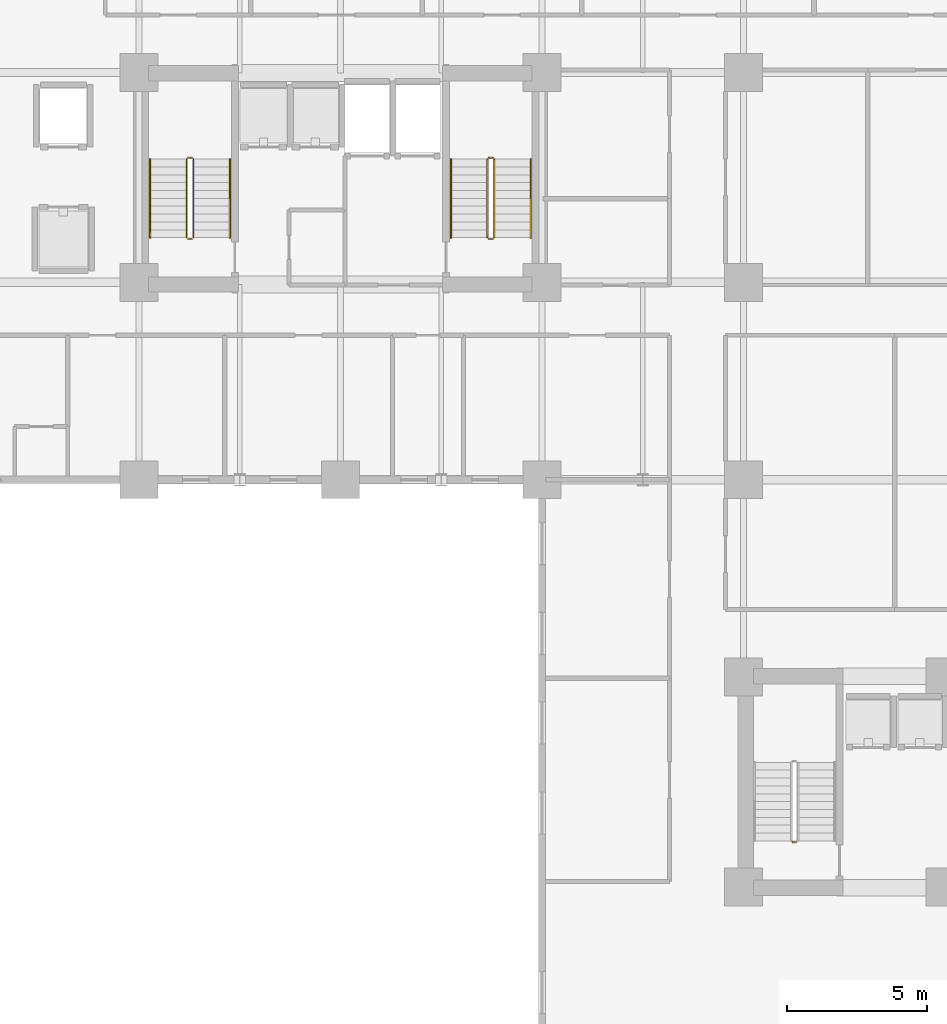
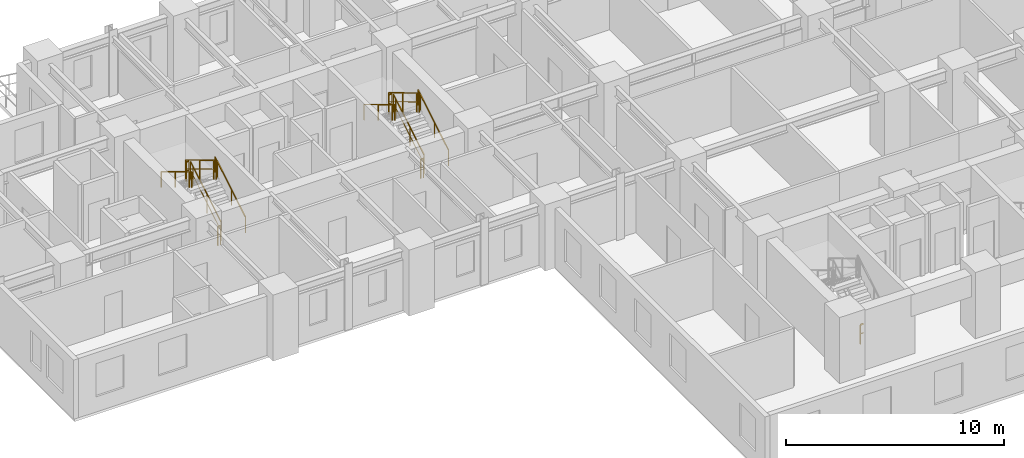
# One storey, part 9 of 12: 13 railings.
"""IFC4 building model written with IfcOpenShell, lengths in metres."""

from ifc_helpers import new_model, si_unit, direction, frame, origin, origin_2d, place, context, subcontext, project, spatial, rectangle, extrude, material, type_object, element, save


model = new_model("IFC4")

# Units and contexts
model_context = context("Model", 3, precision=1e-05, world=origin(), true_north=direction((0.0, 1.0)))
body_context = subcontext(model_context, "Body", "Model", "MODEL_VIEW")
ifc_project = project(units=[si_unit("LENGTHUNIT", "METRE"), si_unit("AREAUNIT", "SQUARE_METRE"), si_unit("VOLUMEUNIT", "CUBIC_METRE"), si_unit("PLANEANGLEUNIT", "RADIAN"), si_unit("MASSUNIT", "GRAM", prefix="KILO")], contexts=[model_context])

# Site, building, storey
site_placement = place(None, origin())
site = spatial("IfcSite", under=ifc_project, at=site_placement, CompositionType="ELEMENT")
building_placement = place(site_placement, origin())
building = spatial("IfcBuilding", under=site, at=building_placement, Name="Kaliganga Portal Commons", CompositionType="ELEMENT")
storey_placement = place(building_placement, frame((0.0, 0.0, 69.699951171875)))
storey = spatial("IfcBuildingStorey", under=building, at=storey_placement, Name="L17", CompositionType="ELEMENT", Elevation=69.699951171875)

# Railings
ifc_material_1 = material(Name="Galvanized Painted Steel Balustrade", Category="steel")
railing_type_1 = type_object("IfcRailingType", Name="RLG-STAIR-GRD", PredefinedType="GUARDRAIL", material=ifc_material_1)
railing_1_placement = place(storey_placement, frame((16.35009765625, 30.25, 0.168212890625)))
element("IfcRailing", 1, at=railing_1_placement, inside=storey, type_object=railing_type_1, Name="L17 ST-A1 stair guard 1", PredefinedType="GUARDRAIL", context=body_context, shape_type="SweptSolid", body=[
    extrude(rectangle(XDim=0.048095703125, YDim=0.048095703125, at=origin_2d()), frame((0.0, 0.0, 1.072021484375), z_axis=(0.0, 0.857242210791, 0.514913383045), x_axis=(-1.0, 0.0, 0.0)), (0.0, 0.0, 1.0), 3.266357421875),
    extrude(rectangle(XDim=0.028076171875, YDim=0.028076171875, at=origin_2d()), frame((0.0, 0.0, 0.572021484375), z_axis=(0.0, 0.857242210791, 0.514913383045), x_axis=(-1.0, 0.0, 0.0)), (0.0, 0.0, 1.0), 3.266357421875),
    extrude(rectangle(XDim=0.0419921875, YDim=0.0419921875, at=origin_2d()), origin(), (0.0, 0.0, 1.0), 1.052001953125),
    extrude(rectangle(XDim=0.0419921875, YDim=0.0419921875, at=origin_2d()), frame((0.0, 1.285888671875, 0.7724609375)), (0.0, 0.0, 1.0), 1.052001953125),
    extrude(rectangle(XDim=0.0419921875, YDim=0.0419921875, at=origin_2d()), frame((0.0, 2.57177734375, 1.544677734375)), (0.0, 0.0, 1.0), 1.052001953125),
    extrude(rectangle(XDim=0.0419921875, YDim=0.0419921875, at=origin_2d()), frame((0.0, 2.800048828125, 1.681884765625)), (0.0, 0.0, 1.0), 1.052001953125),
])
railing_2_placement = place(storey_placement, frame((16.300048828125, 33.10009765625, 1.85009765625)))
element("IfcRailing", 2, at=railing_2_placement, inside=storey, type_object=railing_type_1, Name="L17 ST-A1 stair guard 2", PredefinedType="GUARDRAIL", context=body_context, shape_type="SweptSolid", body=[
    extrude(rectangle(XDim=0.048095703125, YDim=0.048095703125, at=origin_2d()), frame((0.0, 0.0, 1.076171875), z_axis=(-1.0, 0.0, 0.0), x_axis=(0.0, -1.0, 0.0)), (0.0, 0.0, 1.0), 0.150146484375),
    extrude(rectangle(XDim=0.028076171875, YDim=0.028076171875, at=origin_2d()), frame((0.0, 0.0, 0.572021484375), z_axis=(-1.0, 0.0, 0.0), x_axis=(0.0, -1.0, 0.0)), (0.0, 0.0, 1.0), 0.150146484375),
    extrude(rectangle(XDim=0.0419921875, YDim=0.0419921875, at=origin_2d()), origin(), (0.0, 0.0, 1.0), 1.052001953125),
    extrude(rectangle(XDim=0.0419921875, YDim=0.0419921875, at=origin_2d()), frame((-0.150146484375, 0.0, 0.0)), (0.0, 0.0, 1.0), 1.052001953125),
])
railing_3_placement = place(storey_placement, frame((16.10009765625, 33.050048828125, 2.018310546875)))
element("IfcRailing", 3, at=railing_3_placement, inside=storey, type_object=railing_type_1, Name="L17 ST-A1 stair guard 3", PredefinedType="GUARDRAIL", context=body_context, shape_type="SweptSolid", body=[
    extrude(rectangle(XDim=0.048095703125, YDim=0.048095703125, at=origin_2d()), frame((0.0, 0.0, 1.072021484375), z_axis=(0.0, -0.857275202839, 0.514858452973), x_axis=(1.0, 0.0, 0.0)), (0.0, 0.0, 1.0), 3.26611328125),
    extrude(rectangle(XDim=0.028076171875, YDim=0.028076171875, at=origin_2d()), frame((0.0, 0.0, 0.572021484375), z_axis=(0.0, -0.857275202839, 0.514858452973), x_axis=(1.0, 0.0, 0.0)), (0.0, 0.0, 1.0), 3.26611328125),
    extrude(rectangle(XDim=0.0419921875, YDim=0.0419921875, at=origin_2d()), origin(), (0.0, 0.0, 1.0), 1.052001953125),
    extrude(rectangle(XDim=0.0419921875, YDim=0.0419921875, at=origin_2d()), frame((0.0, -1.285888671875, 0.772216796875)), (0.0, 0.0, 1.0), 1.052001953125),
    extrude(rectangle(XDim=0.0419921875, YDim=0.0419921875, at=origin_2d()), frame((0.0, -2.57177734375, 1.544677734375)), (0.0, 0.0, 1.0), 1.052001953125),
    extrude(rectangle(XDim=0.0419921875, YDim=0.0419921875, at=origin_2d()), frame((0.0, -2.800048828125, 1.681640625)), (0.0, 0.0, 1.0), 1.052001953125),
])
railing_4_placement = place(storey_placement, frame((16.300048828125, 30.199951171875, 0.0)))
element("IfcRailing", 4, at=railing_4_placement, inside=storey, type_object=railing_type_1, Name="L17 ST-A1 stair guard 4", PredefinedType="GUARDRAIL", context=body_context, shape_type="SweptSolid", body=[
    extrude(rectangle(XDim=0.048095703125, YDim=0.048095703125, at=origin_2d()), frame((0.0, 0.0, 1.076171875), z_axis=(-1.0, 0.0, 0.0), x_axis=(0.0, -1.0, 0.0)), (0.0, 0.0, 1.0), 0.150146484375),
    extrude(rectangle(XDim=0.028076171875, YDim=0.028076171875, at=origin_2d()), frame((0.0, 0.0, 0.572021484375), z_axis=(-1.0, 0.0, 0.0), x_axis=(0.0, -1.0, 0.0)), (0.0, 0.0, 1.0), 0.150146484375),
    extrude(rectangle(XDim=0.0419921875, YDim=0.0419921875, at=origin_2d()), origin(), (0.0, 0.0, 1.0), 1.052001953125),
    extrude(rectangle(XDim=0.0419921875, YDim=0.0419921875, at=origin_2d()), frame((-0.150146484375, 0.0, 0.0)), (0.0, 0.0, 1.0), 1.052001953125),
])
railing_5_placement = place(storey_placement, frame((27.10009765625, 30.25, 0.168212890625)))
element("IfcRailing", 5, at=railing_5_placement, inside=storey, type_object=railing_type_1, Name="L17 ST-A2 stair guard 1", PredefinedType="GUARDRAIL", context=body_context, shape_type="SweptSolid", body=[
    extrude(rectangle(XDim=0.048095703125, YDim=0.048095703125, at=origin_2d()), frame((0.0, 0.0, 1.072021484375), z_axis=(0.0, 0.857242210791, 0.514913383045), x_axis=(-1.0, 0.0, 0.0)), (0.0, 0.0, 1.0), 3.266357421875),
    extrude(rectangle(XDim=0.028076171875, YDim=0.028076171875, at=origin_2d()), frame((0.0, 0.0, 0.572021484375), z_axis=(0.0, 0.857242210791, 0.514913383045), x_axis=(-1.0, 0.0, 0.0)), (0.0, 0.0, 1.0), 3.266357421875),
    extrude(rectangle(XDim=0.0419921875, YDim=0.0419921875, at=origin_2d()), origin(), (0.0, 0.0, 1.0), 1.052001953125),
    extrude(rectangle(XDim=0.0419921875, YDim=0.0419921875, at=origin_2d()), frame((0.0, 1.285888671875, 0.7724609375)), (0.0, 0.0, 1.0), 1.052001953125),
    extrude(rectangle(XDim=0.0419921875, YDim=0.0419921875, at=origin_2d()), frame((0.0, 2.57177734375, 1.544677734375)), (0.0, 0.0, 1.0), 1.052001953125),
    extrude(rectangle(XDim=0.0419921875, YDim=0.0419921875, at=origin_2d()), frame((0.0, 2.800048828125, 1.681884765625)), (0.0, 0.0, 1.0), 1.052001953125),
])
railing_6_placement = place(storey_placement, frame((27.050048828125, 33.10009765625, 1.85009765625)))
element("IfcRailing", 6, at=railing_6_placement, inside=storey, type_object=railing_type_1, Name="L17 ST-A2 stair guard 2", PredefinedType="GUARDRAIL", context=body_context, shape_type="SweptSolid", body=[
    extrude(rectangle(XDim=0.048095703125, YDim=0.048095703125, at=origin_2d()), frame((0.0, 0.0, 1.076171875), z_axis=(-1.0, 0.0, 0.0), x_axis=(0.0, -1.0, 0.0)), (0.0, 0.0, 1.0), 0.150146484375),
    extrude(rectangle(XDim=0.028076171875, YDim=0.028076171875, at=origin_2d()), frame((0.0, 0.0, 0.572021484375), z_axis=(-1.0, 0.0, 0.0), x_axis=(0.0, -1.0, 0.0)), (0.0, 0.0, 1.0), 0.150146484375),
    extrude(rectangle(XDim=0.0419921875, YDim=0.0419921875, at=origin_2d()), origin(), (0.0, 0.0, 1.0), 1.052001953125),
    extrude(rectangle(XDim=0.0419921875, YDim=0.0419921875, at=origin_2d()), frame((-0.150146484375, 0.0, 0.0)), (0.0, 0.0, 1.0), 1.052001953125),
])
railing_7_placement = place(storey_placement, frame((26.85009765625, 33.050048828125, 2.018310546875)))
element("IfcRailing", 7, at=railing_7_placement, inside=storey, type_object=railing_type_1, Name="L17 ST-A2 stair guard 3", PredefinedType="GUARDRAIL", context=body_context, shape_type="SweptSolid", body=[
    extrude(rectangle(XDim=0.048095703125, YDim=0.048095703125, at=origin_2d()), frame((0.0, 0.0, 1.072021484375), z_axis=(0.0, -0.857275202839, 0.514858452973), x_axis=(1.0, 0.0, 0.0)), (0.0, 0.0, 1.0), 3.26611328125),
    extrude(rectangle(XDim=0.028076171875, YDim=0.028076171875, at=origin_2d()), frame((0.0, 0.0, 0.572021484375), z_axis=(0.0, -0.857275202839, 0.514858452973), x_axis=(1.0, 0.0, 0.0)), (0.0, 0.0, 1.0), 3.26611328125),
    extrude(rectangle(XDim=0.0419921875, YDim=0.0419921875, at=origin_2d()), origin(), (0.0, 0.0, 1.0), 1.052001953125),
    extrude(rectangle(XDim=0.0419921875, YDim=0.0419921875, at=origin_2d()), frame((0.0, -1.285888671875, 0.772216796875)), (0.0, 0.0, 1.0), 1.052001953125),
    extrude(rectangle(XDim=0.0419921875, YDim=0.0419921875, at=origin_2d()), frame((0.0, -2.57177734375, 1.544677734375)), (0.0, 0.0, 1.0), 1.052001953125),
    extrude(rectangle(XDim=0.0419921875, YDim=0.0419921875, at=origin_2d()), frame((0.0, -2.800048828125, 1.681640625)), (0.0, 0.0, 1.0), 1.052001953125),
])
railing_8_placement = place(storey_placement, frame((27.050048828125, 30.199951171875, 0.0)))
element("IfcRailing", 8, at=railing_8_placement, inside=storey, type_object=railing_type_1, Name="L17 ST-A2 stair guard 4", PredefinedType="GUARDRAIL", context=body_context, shape_type="SweptSolid", body=[
    extrude(rectangle(XDim=0.048095703125, YDim=0.048095703125, at=origin_2d()), frame((0.0, 0.0, 1.076171875), z_axis=(-1.0, 0.0, 0.0), x_axis=(0.0, -1.0, 0.0)), (0.0, 0.0, 1.0), 0.150146484375),
    extrude(rectangle(XDim=0.028076171875, YDim=0.028076171875, at=origin_2d()), frame((0.0, 0.0, 0.572021484375), z_axis=(-1.0, 0.0, 0.0), x_axis=(0.0, -1.0, 0.0)), (0.0, 0.0, 1.0), 0.150146484375),
    extrude(rectangle(XDim=0.0419921875, YDim=0.0419921875, at=origin_2d()), origin(), (0.0, 0.0, 1.0), 1.052001953125),
    extrude(rectangle(XDim=0.0419921875, YDim=0.0419921875, at=origin_2d()), frame((-0.150146484375, 0.0, 0.0)), (0.0, 0.0, 1.0), 1.052001953125),
])
railing_9_placement = place(storey_placement, frame((37.89990234375, 8.64990234375, 0.0)))
element("IfcRailing", 9, at=railing_9_placement, inside=storey, type_object=railing_type_1, Name="L17 ST-B1 stair guard 4", PredefinedType="GUARDRAIL", context=body_context, shape_type="SweptSolid", body=[
    extrude(rectangle(XDim=0.048095703125, YDim=0.048095703125, at=origin_2d()), frame((0.0, 0.0, 1.076171875), z_axis=(-1.0, 0.0, 0.0), x_axis=(0.0, -1.0, 0.0)), (0.0, 0.0, 1.0), 0.14990234375),
    extrude(rectangle(XDim=0.028076171875, YDim=0.028076171875, at=origin_2d()), frame((0.0, 0.0, 0.572021484375), z_axis=(-1.0, 0.0, 0.0), x_axis=(0.0, -1.0, 0.0)), (0.0, 0.0, 1.0), 0.14990234375),
    extrude(rectangle(XDim=0.0419921875, YDim=0.0419921875, at=origin_2d()), frame((-0.14990234375, 0.0, 0.0)), (0.0, 0.0, 1.0), 1.052001953125),
])
ifc_material_2 = material(Name="Brushed Stainless Steel 316", Category="steel")
railing_type_2 = type_object("IfcRailingType", Name="RLG-STAIR-HR", PredefinedType="HANDRAIL", material=ifc_material_2)
railing_10_placement = place(storey_placement, frame((17.64990234375, 30.25, 0.168212890625)))
element("IfcRailing", 10, at=railing_10_placement, inside=storey, type_object=railing_type_2, Name="L17 ST-A1 stair handrail 1", PredefinedType="HANDRAIL", context=body_context, shape_type="SweptSolid", body=[
    extrude(rectangle(XDim=0.048095703125, YDim=0.048095703125, at=origin_2d()), frame((0.0, 0.0, 0.871826171875), z_axis=(0.0, 0.857242210791, 0.514913383045), x_axis=(-1.0, 0.0, 0.0)), (0.0, 0.0, 1.0), 3.266357421875),
    extrude(rectangle(XDim=0.0419921875, YDim=0.0419921875, at=origin_2d()), origin(), (0.0, 0.0, 1.0), 0.851806640625),
    extrude(rectangle(XDim=0.0419921875, YDim=0.0419921875, at=origin_2d()), frame((0.0, 1.285888671875, 0.7724609375)), (0.0, 0.0, 1.0), 0.851806640625),
    extrude(rectangle(XDim=0.0419921875, YDim=0.0419921875, at=origin_2d()), frame((0.0, 2.57177734375, 1.544677734375)), (0.0, 0.0, 1.0), 0.851806640625),
    extrude(rectangle(XDim=0.0419921875, YDim=0.0419921875, at=origin_2d()), frame((0.0, 2.800048828125, 1.681884765625)), (0.0, 0.0, 1.0), 0.851806640625),
])
railing_11_placement = place(storey_placement, frame((14.800048828125, 33.050048828125, 2.018310546875)))
element("IfcRailing", 11, at=railing_11_placement, inside=storey, type_object=railing_type_2, Name="L17 ST-A1 stair handrail 2", PredefinedType="HANDRAIL", context=body_context, shape_type="SweptSolid", body=[
    extrude(rectangle(XDim=0.048095703125, YDim=0.048095703125, at=origin_2d()), frame((0.0, 0.0, 0.871826171875), z_axis=(0.0, -0.857275202839, 0.514858452973), x_axis=(1.0, 0.0, 0.0)), (0.0, 0.0, 1.0), 3.26611328125),
    extrude(rectangle(XDim=0.0419921875, YDim=0.0419921875, at=origin_2d()), origin(), (0.0, 0.0, 1.0), 0.851806640625),
    extrude(rectangle(XDim=0.0419921875, YDim=0.0419921875, at=origin_2d()), frame((0.0, -1.285888671875, 0.772216796875)), (0.0, 0.0, 1.0), 0.851806640625),
    extrude(rectangle(XDim=0.0419921875, YDim=0.0419921875, at=origin_2d()), frame((0.0, -2.57177734375, 1.544677734375)), (0.0, 0.0, 1.0), 0.851806640625),
    extrude(rectangle(XDim=0.0419921875, YDim=0.0419921875, at=origin_2d()), frame((0.0, -2.800048828125, 1.681640625)), (0.0, 0.0, 1.0), 0.851806640625),
])
railing_12_placement = place(storey_placement, frame((28.39990234375, 30.25, 0.168212890625)))
element("IfcRailing", 12, at=railing_12_placement, inside=storey, type_object=railing_type_2, Name="L17 ST-A2 stair handrail 1", PredefinedType="HANDRAIL", context=body_context, shape_type="SweptSolid", body=[
    extrude(rectangle(XDim=0.048095703125, YDim=0.048095703125, at=origin_2d()), frame((0.0, 0.0, 0.871826171875), z_axis=(0.0, 0.857242210791, 0.514913383045), x_axis=(-1.0, 0.0, 0.0)), (0.0, 0.0, 1.0), 3.266357421875),
    extrude(rectangle(XDim=0.0419921875, YDim=0.0419921875, at=origin_2d()), origin(), (0.0, 0.0, 1.0), 0.851806640625),
    extrude(rectangle(XDim=0.0419921875, YDim=0.0419921875, at=origin_2d()), frame((0.0, 1.285888671875, 0.7724609375)), (0.0, 0.0, 1.0), 0.851806640625),
    extrude(rectangle(XDim=0.0419921875, YDim=0.0419921875, at=origin_2d()), frame((0.0, 2.57177734375, 1.544677734375)), (0.0, 0.0, 1.0), 0.851806640625),
    extrude(rectangle(XDim=0.0419921875, YDim=0.0419921875, at=origin_2d()), frame((0.0, 2.800048828125, 1.681884765625)), (0.0, 0.0, 1.0), 0.851806640625),
])
railing_13_placement = place(storey_placement, frame((25.550048828125, 33.050048828125, 2.018310546875)))
element("IfcRailing", 13, at=railing_13_placement, inside=storey, type_object=railing_type_2, Name="L17 ST-A2 stair handrail 2", PredefinedType="HANDRAIL", context=body_context, shape_type="SweptSolid", body=[
    extrude(rectangle(XDim=0.048095703125, YDim=0.048095703125, at=origin_2d()), frame((0.0, 0.0, 0.871826171875), z_axis=(0.0, -0.857275202839, 0.514858452973), x_axis=(1.0, 0.0, 0.0)), (0.0, 0.0, 1.0), 3.26611328125),
    extrude(rectangle(XDim=0.0419921875, YDim=0.0419921875, at=origin_2d()), origin(), (0.0, 0.0, 1.0), 0.851806640625),
    extrude(rectangle(XDim=0.0419921875, YDim=0.0419921875, at=origin_2d()), frame((0.0, -1.285888671875, 0.772216796875)), (0.0, 0.0, 1.0), 0.851806640625),
    extrude(rectangle(XDim=0.0419921875, YDim=0.0419921875, at=origin_2d()), frame((0.0, -2.57177734375, 1.544677734375)), (0.0, 0.0, 1.0), 0.851806640625),
    extrude(rectangle(XDim=0.0419921875, YDim=0.0419921875, at=origin_2d()), frame((0.0, -2.800048828125, 1.681640625)), (0.0, 0.0, 1.0), 0.851806640625),
])

save(model, "model.ifc")
